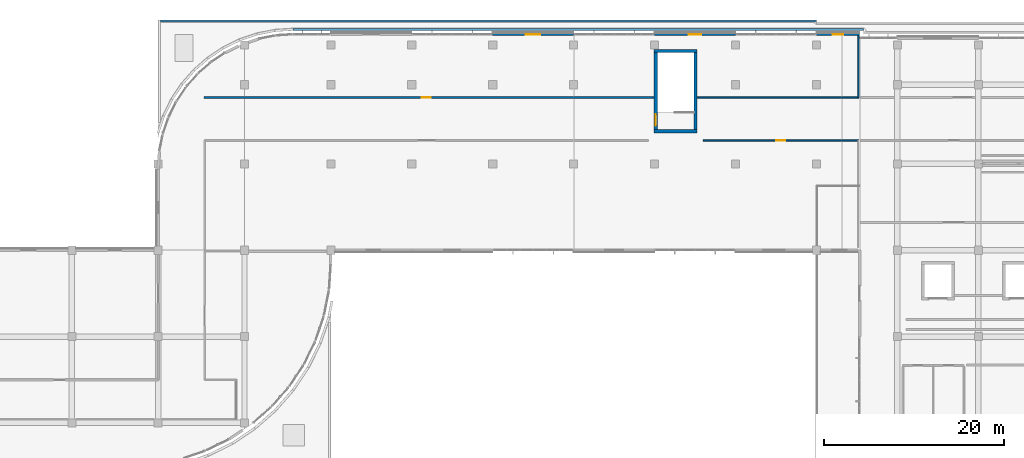
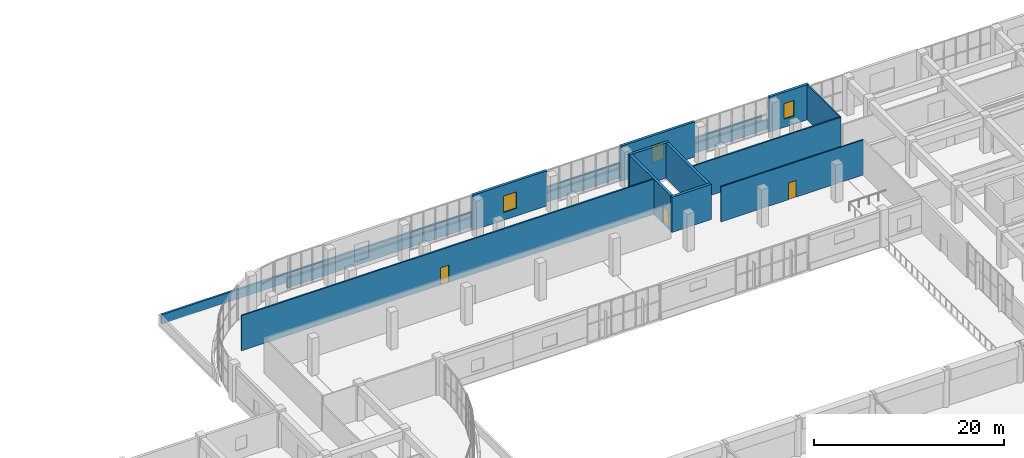
# One storey, part 70 of 96: 13 walls, 3 doors, 3 windows, 6 openings.
"""IFC4 building model written with IfcOpenShell, lengths in metres."""

from ifc_helpers import new_model, si_unit, direction, frame, frame_2d, origin, place, context, subcontext, project, spatial, rectangle, extrude, material, layer, layer_set, type_object, element, fill, save


model = new_model("IFC4")

# Units and contexts
model_context = context("Model", 3, precision=1e-05, world=origin(), true_north=direction((0.0, 1.0)))
body_context = subcontext(model_context, "Body", "Model", "MODEL_VIEW")
ifc_project = project(units=[si_unit("LENGTHUNIT", "METRE"), si_unit("AREAUNIT", "SQUARE_METRE"), si_unit("VOLUMEUNIT", "CUBIC_METRE"), si_unit("PLANEANGLEUNIT", "RADIAN"), si_unit("MASSUNIT", "GRAM", prefix="KILO")], contexts=[model_context])

# Site, building, storey
site_placement = place(None, origin())
site = spatial("IfcSite", under=ifc_project, at=site_placement, CompositionType="ELEMENT")
building_placement = place(site_placement, origin())
building = spatial("IfcBuilding", under=site, at=building_placement, Name="Cendralis Terraced Arcade", CompositionType="ELEMENT")
storey_placement = place(building_placement, frame((0.0, 0.0, 10.199951171875)))
storey = spatial("IfcBuildingStorey", under=building, at=storey_placement, Name="L02", CompositionType="ELEMENT", Elevation=10.199951171875)

# Walls
ifc_material_1 = material(Name="Concrete f'c 42 MPa", Category="concrete")
ifc_layer_1 = layer(ifc_material_1, 0.340087890625, Name="WL-CORE-340")
ifc_layer_set_1 = layer_set([ifc_layer_1], Name="Concrete f'c 42 MPa")
wall_type_1 = type_object("IfcWallType", Name="WL-CORE-340", PredefinedType="SHEAR", material=ifc_layer_set_1)
for number, where, z_axis, x_axis, name in (
    (1, (103.159912109375, 102.030029296875, 0.0), (0.0, 0.0, 1.0), (1.0, 0.0, 0.0), "Stair Core Reinforced Concrete Shear Wall SW-ST-10-L02-S"),
    (2, (103.159912109375, 110.969970703125, 0.0), (0.0, 0.0, 1.0), (1.0, 0.0, 0.0), "Stair Core Reinforced Concrete Shear Wall SW-ST-10-L02-N"),
):
    element("IfcWall", number, at=place(storey_placement, frame(where, z_axis=z_axis, x_axis=x_axis)), inside=storey, type_object=wall_type_1, Name=name, PredefinedType="SHEAR", context=body_context, shape_type="SweptSolid", body=[
        extrude(rectangle(XDim=4.780029296875, YDim=0.340087890625, at=frame_2d((2.39013671875, 0.0))), origin(), (0.0, 0.0, 1.0), 4.51513671875),
    ])
wall_1_placement = place(storey_placement, frame((107.77001953125, 102.199951171875, 0.0), z_axis=(0.0, 0.0, 1.0), x_axis=(0.0, 1.0, 0.0)))
element("IfcWall", 3, at=wall_1_placement, inside=storey, type_object=wall_type_1, Name="Stair Core Reinforced Concrete Shear Wall SW-ST-10-L02-E", PredefinedType="SHEAR", context=body_context, shape_type="SweptSolid", body=[
    extrude(rectangle(XDim=8.60009765625, YDim=0.340087890625, at=frame_2d((4.300048828125, 0.0))), origin(), (0.0, 0.0, 1.0), 4.51513671875),
])

# Wall, opening, door
wall_2_placement = place(storey_placement, frame((103.330078125, 102.199951171875, 0.0), z_axis=(0.0, 0.0, 1.0), x_axis=(0.0, 1.0, 0.0)))
wall_2 = element("IfcWall", 4, at=wall_2_placement, inside=storey, type_object=wall_type_1, Name="Stair Core Reinforced Concrete Shear Wall SW-ST-10-L02-W", PredefinedType="SHEAR", context=body_context, shape_type="SweptSolid", body=[
    extrude(rectangle(XDim=8.60009765625, YDim=0.340087890625, at=frame_2d((4.300048828125, 0.0))), origin(), (0.0, 0.0, 1.0), 4.51513671875),
])
opening_1_placement = place(wall_2_placement, frame((0.449951171875, 0.0, 0.0)))
opening_1 = element("IfcOpeningElement", 5, at=opening_1_placement, cuts=wall_2, Name="Opening D-ST-10-L02", PredefinedType="OPENING", context=body_context, shape_type="SweptSolid", body=[
    extrude(rectangle(XDim=1.25, YDim=2.199951171875, at=frame_2d((0.625, 1.10009765625))), frame((0.0, 0.18212890625, 0.0), z_axis=(0.0, -1.0, 0.0), x_axis=(1.0, 0.0, 0.0)), (0.0, 0.0, 1.0), 0.364013671875),
])
ifc_material_2 = material(Name="Galvanised fire-rated steel door assembly", Category="steel")
door_type_1 = type_object("IfcDoorType", Name="ID-ST-1250x2200", OperationType="NOTDEFINED", PredefinedType="DOOR", material=ifc_material_2)
door_1_placement = place(opening_1_placement, frame((1.25, 0.0, 0.0), z_axis=(0.0, 0.0, 1.0), x_axis=(-1.0, 0.0, 0.0)))
door_1 = element("IfcDoor", 6, at=door_1_placement, inside=storey, type_object=door_type_1, Name="Protected Stair ST-10 Fire Door (L02)", OperationType="SINGLE_SWING_LEFT", OverallHeight=2.199951171875, OverallWidth=1.25, PredefinedType="DOOR", context=body_context, shape_type="SweptSolid", body=[
    extrude(rectangle(XDim=1.25, YDim=2.199951171875, at=frame_2d((0.625, 1.10009765625))), frame((0.0, 0.02490234375, 0.0), z_axis=(0.0, -1.0, 0.0), x_axis=(1.0, 0.0, 0.0)), (0.0, 0.0, 1.0), 0.050048828125),
])
fill(opening_1, door_1)

# Wall, opening, window
ifc_material_3 = material(Name="Precast concrete f'c 40 MPa", Category="concrete")
ifc_layer_2 = layer(ifc_material_3, 0.300048828125, Name="WL-EXT-GRC-300")
ifc_layer_set_2 = layer_set([ifc_layer_2], Name="Precast concrete f'c 40 MPa")
wall_type_2 = type_object("IfcWallType", Name="WL-EXT-GRC-300", PredefinedType="SOLIDWALL", material=ifc_layer_set_2)
wall_3_placement = place(storey_placement, frame((85.199951171875, 112.800048828125, 0.0), z_axis=(0.0, 0.0, 1.0), x_axis=(1.0, 0.0, 0.0)))
wall_3 = element("IfcWall", 7, at=wall_3_placement, inside=storey, type_object=wall_type_2, Name="Exterior Architectural Wall EW-L02-0181", PredefinedType="SOLIDWALL", context=body_context, shape_type="SweptSolid", body=[
    extrude(rectangle(XDim=9.0, YDim=0.300048828125, at=frame_2d((4.5, 0.0))), origin(), (0.0, 0.0, 1.0), 4.51513671875),
])
opening_2_placement = place(wall_3_placement, frame((3.699951171875, 0.0, 1.0)))
opening_2 = element("IfcOpeningElement", 8, at=opening_2_placement, cuts=wall_3, Name="Opening W-05", PredefinedType="OPENING", context=body_context, shape_type="SweptSolid", body=[
    extrude(rectangle(XDim=1.60009765625, YDim=2.10009765625, at=frame_2d((0.800048828125, 1.050048828125))), frame((0.0, 0.162109375, 0.0), z_axis=(0.0, -1.0, 0.0), x_axis=(1.0, 0.0, 0.0)), (0.0, 0.0, 1.0), 0.323974609375),
])
ifc_material_4 = material(Name="Tempered solar control laminated glass", Category="glass")
window_type_1 = type_object("IfcWindowType", Name="WN-F1-1600x2100", PartitioningType="SINGLE_PANEL", PredefinedType="WINDOW", material=ifc_material_4)
window_1_placement = place(opening_2_placement, origin())
window_1 = element("IfcWindow", 9, at=window_1_placement, inside=storey, type_object=window_type_1, Name="Exterior Solar-Control Window WN-L02-0116", OverallHeight=2.10009765625, OverallWidth=1.60009765625, PartitioningType="SINGLE_PANEL", PredefinedType="WINDOW", context=body_context, shape_type="SweptSolid", body=[
    extrude(rectangle(XDim=1.60009765625, YDim=2.10009765625, at=frame_2d((0.800048828125, 1.050048828125))), frame((0.0, 0.030029296875, 0.0), z_axis=(0.0, -1.0, 0.0), x_axis=(1.0, 0.0, 0.0)), (0.0, 0.0, 1.0), 0.06005859375),
])
fill(opening_2, window_1)

wall_4_placement = place(storey_placement, frame((103.199951171875, 112.800048828125, 0.0), z_axis=(0.0, 0.0, 1.0), x_axis=(1.0, 0.0, 0.0)))
wall_4 = element("IfcWall", 10, at=wall_4_placement, inside=storey, type_object=wall_type_2, Name="Exterior Architectural Wall EW-L02-0182", PredefinedType="SOLIDWALL", context=body_context, shape_type="SweptSolid", body=[
    extrude(rectangle(XDim=9.0, YDim=0.300048828125, at=frame_2d((4.5, 0.0))), origin(), (0.0, 0.0, 1.0), 4.51513671875),
])
opening_3_placement = place(wall_4_placement, frame((3.800048828125, 0.0, 1.0)))
opening_3 = element("IfcOpeningElement", 11, at=opening_3_placement, cuts=wall_4, Name="Opening W-06", PredefinedType="OPENING", context=body_context, shape_type="SweptSolid", body=[
    extrude(rectangle(XDim=1.39990234375, YDim=2.10009765625, at=frame_2d((0.699951171875, 1.050048828125))), frame((0.0, 0.162109375, 0.0), z_axis=(0.0, -1.0, 0.0), x_axis=(1.0, 0.0, 0.0)), (0.0, 0.0, 1.0), 0.323974609375),
])
window_type_2 = type_object("IfcWindowType", Name="WN-F1-1400x2100", PartitioningType="SINGLE_PANEL", PredefinedType="WINDOW", material=ifc_material_4)
window_2_placement = place(opening_3_placement, origin())
window_2 = element("IfcWindow", 12, at=window_2_placement, inside=storey, type_object=window_type_2, Name="Exterior Solar-Control Window WN-L02-0117", OverallHeight=2.10009765625, OverallWidth=1.39990234375, PartitioningType="SINGLE_PANEL", PredefinedType="WINDOW", context=body_context, shape_type="SweptSolid", body=[
    extrude(rectangle(XDim=1.39990234375, YDim=2.10009765625, at=frame_2d((0.699951171875, 1.050048828125))), frame((0.0, 0.030029296875, 0.0), z_axis=(0.0, -1.0, 0.0), x_axis=(1.0, 0.0, 0.0)), (0.0, 0.0, 1.0), 0.06005859375),
])
fill(opening_3, window_2)

wall_5_placement = place(storey_placement, frame((121.199951171875, 112.800048828125, 0.0), z_axis=(0.0, 0.0, 1.0), x_axis=(1.0, 0.0, 0.0)))
wall_5 = element("IfcWall", 13, at=wall_5_placement, inside=storey, type_object=wall_type_2, Name="Exterior Architectural Wall EW-L02-0183", PredefinedType="SOLIDWALL", context=body_context, shape_type="SweptSolid", body=[
    extrude(rectangle(XDim=4.800048828125, YDim=0.300048828125, at=frame_2d((2.39990234375, 0.0))), origin(), (0.0, 0.0, 1.0), 4.51513671875),
])
opening_4_placement = place(wall_5_placement, frame((1.800048828125, 0.0, 1.050048828125)))
opening_4 = element("IfcOpeningElement", 14, at=opening_4_placement, cuts=wall_5, Name="Opening W-07", PredefinedType="OPENING", context=body_context, shape_type="SweptSolid", body=[
    extrude(rectangle(XDim=1.199951171875, YDim=2.0, at=frame_2d((0.60009765625, 1.0))), frame((0.0, 0.162109375, 0.0), z_axis=(0.0, -1.0, 0.0), x_axis=(1.0, 0.0, 0.0)), (0.0, 0.0, 1.0), 0.323974609375),
])
window_type_3 = type_object("IfcWindowType", Name="WN-F1-1200x2000", PartitioningType="SINGLE_PANEL", PredefinedType="WINDOW", material=ifc_material_4)
window_3_placement = place(opening_4_placement, origin())
window_3 = element("IfcWindow", 15, at=window_3_placement, inside=storey, type_object=window_type_3, Name="Exterior Solar-Control Window WN-L02-0118", OverallHeight=2.0, OverallWidth=1.199951171875, PartitioningType="SINGLE_PANEL", PredefinedType="WINDOW", context=body_context, shape_type="SweptSolid", body=[
    extrude(rectangle(XDim=1.199951171875, YDim=2.0, at=frame_2d((0.60009765625, 1.0))), frame((0.0, 0.030029296875, 0.0), z_axis=(0.0, -1.0, 0.0), x_axis=(1.0, 0.0, 0.0)), (0.0, 0.0, 1.0), 0.06005859375),
])
fill(opening_4, window_3)

# Walls
ifc_layer_3 = layer(ifc_material_3, 0.22998046875, Name="WL-PAR-230")
ifc_layer_set_3 = layer_set([ifc_layer_3], Name="Precast concrete f'c 40 MPa")
wall_type_3 = type_object("IfcWallType", Name="WL-PAR-230", PredefinedType="PARAPET", material=ifc_layer_set_3)
wall_6_placement = place(storey_placement, frame((126.419921875, 113.35498046875, 0.0), z_axis=(0.0, 0.0, 1.0), x_axis=(-1.0, 0.0, 0.0)))
element("IfcWall", 16, at=wall_6_placement, inside=storey, type_object=wall_type_3, Name="Precast Concrete Roof Parapet Wall PAR-L02-083", PredefinedType="PARAPET", context=body_context, shape_type="SweptSolid", body=[
    extrude(rectangle(XDim=63.43359375, YDim=0.22998046875, at=frame_2d((31.716796875, 0.0))), origin(), (0.0, 0.0, 1.0), 1.199951171875),
])
wall_7_placement = place(storey_placement, frame((48.27001953125, 114.264892578125, 0.0), z_axis=(0.0, 0.0, 1.0), x_axis=(1.0, 0.0, 0.0)))
element("IfcWall", 17, at=wall_7_placement, inside=storey, type_object=wall_type_3, Name="Precast Concrete Roof Parapet Wall PAR-L02-095", PredefinedType="PARAPET", context=body_context, shape_type="SweptSolid", body=[
    extrude(rectangle(XDim=72.929931640625, YDim=0.22998046875, at=frame_2d((36.46484375, 0.0))), origin(), (0.0, 0.0, 1.0), 1.199951171875),
])

# Wall, opening, door
ifc_material_5 = material(Name="Gypsum plasterboard acoustic partition", Category="concrete")
ifc_layer_4 = layer(ifc_material_5, 0.14990234375, Name="WL-PART-150")
ifc_layer_set_4 = layer_set([ifc_layer_4], Name="Gypsum plasterboard acoustic partition")
wall_type_4 = type_object("IfcWallType", Name="WL-PART-150", PredefinedType="PARTITIONING", material=ifc_layer_set_4)
wall_8_placement = place(storey_placement, frame((108.5888671875, 101.02001953125, 0.0), z_axis=(0.0, 0.0, 1.0), x_axis=(1.0, 0.0, 0.0)))
wall_8 = element("IfcWall", 18, at=wall_8_placement, inside=storey, type_object=wall_type_4, Name="Interior Partition Wall IW-L02-0473", PredefinedType="PARTITIONING", context=body_context, shape_type="SweptSolid", body=[
    extrude(rectangle(XDim=17.291015625, YDim=0.14990234375, at=frame_2d((8.6455078125, 0.0))), origin(), (0.0, 0.0, 1.0), 4.51513671875),
])
opening_5_placement = place(wall_8_placement, frame((8.16552734375, 0.0, 0.0)))
opening_5 = element("IfcOpeningElement", 19, at=opening_5_placement, cuts=wall_8, Name="Opening D-L02-130", PredefinedType="OPENING", context=body_context, shape_type="SweptSolid", body=[
    extrude(rectangle(XDim=0.9599609375, YDim=2.1298828125, at=frame_2d((0.47998046875, 1.06494140625))), frame((0.0, 0.0869140625, 0.0), z_axis=(0.0, -1.0, 0.0), x_axis=(1.0, 0.0, 0.0)), (0.0, 0.0, 1.0), 0.173828125),
])
ifc_material_6 = material(Name="Solid core Andean oak veneer door leaf", Category="aluminium")
door_type_2 = type_object("IfcDoorType", Name="ID-RM-0960x2130", OperationType="NOTDEFINED", PredefinedType="DOOR", material=ifc_material_6)
door_2_placement = place(opening_5_placement, origin())
door_2 = element("IfcDoor", 20, at=door_2_placement, inside=storey, type_object=door_type_2, Name="Lighting and Interior Textile Showroom Door D-L02-130", OperationType="SINGLE_SWING_LEFT", OverallHeight=2.1298828125, OverallWidth=0.9599609375, PredefinedType="DOOR", context=body_context, shape_type="SweptSolid", body=[
    extrude(rectangle(XDim=0.9599609375, YDim=2.1298828125, at=frame_2d((0.47998046875, 1.06494140625))), frame((0.0, 0.02490234375, 0.0), z_axis=(0.0, -1.0, 0.0), x_axis=(1.0, 0.0, 0.0)), (0.0, 0.0, 1.0), 0.050048828125),
])
fill(opening_5, door_2)

# Walls
ifc_layer_5 = layer(ifc_material_5, 0.1650390625, Name="WL-PART-165")
ifc_layer_set_5 = layer_set([ifc_layer_5], Name="Gypsum plasterboard acoustic partition")
wall_type_5 = type_object("IfcWallType", Name="WL-PART-165", PredefinedType="PARTITIONING", material=ifc_layer_set_5)
wall_9_placement = place(storey_placement, frame((125.8798828125, 112.64990234375, 0.0), z_axis=(0.0, 0.0, 1.0), x_axis=(0.0, -1.0, 0.0)))
element("IfcWall", 21, at=wall_9_placement, inside=storey, type_object=wall_type_5, Name="Interior Partition Wall IW-L02-0471", PredefinedType="PARTITIONING", context=body_context, shape_type="SweptSolid", body=[
    extrude(rectangle(XDim=6.869873046875, YDim=0.1650390625, at=frame_2d((3.43505859375, 0.0))), origin(), (0.0, 0.0, 1.0), 4.51513671875),
])
ifc_layer_6 = layer(ifc_material_5, 0.169921875, Name="WL-PART-170")
ifc_layer_set_6 = layer_set([ifc_layer_6], Name="Gypsum plasterboard acoustic partition")
wall_type_6 = type_object("IfcWallType", Name="WL-PART-170", PredefinedType="PARTITIONING", material=ifc_layer_set_6)
wall_10_placement = place(storey_placement, frame((125.8798828125, 105.780029296875, 0.0), z_axis=(0.0, 0.0, 1.0), x_axis=(-1.0, 0.0, 0.0)))
element("IfcWall", 22, at=wall_10_placement, inside=storey, type_object=wall_type_6, Name="Interior Partition Wall IW-L02-0470", PredefinedType="PARTITIONING", context=body_context, shape_type="SweptSolid", body=[
    extrude(rectangle(XDim=17.93994140625, YDim=0.169921875, at=frame_2d((8.969970703125, 0.0))), origin(), (0.0, 0.0, 1.0), 4.51513671875),
])

# Wall, opening, door
ifc_layer_7 = layer(ifc_material_5, 0.175048828125, Name="WL-PART-175")
ifc_layer_set_7 = layer_set([ifc_layer_7], Name="Gypsum plasterboard acoustic partition")
wall_type_7 = type_object("IfcWallType", Name="WL-PART-175", PredefinedType="PARTITIONING", material=ifc_layer_set_7)
wall_11_placement = place(storey_placement, frame((103.159912109375, 105.780029296875, 0.0), z_axis=(0.0, 0.0, 1.0), x_axis=(-1.0, 0.0, 0.0)))
wall_11 = element("IfcWall", 23, at=wall_11_placement, inside=storey, type_object=wall_type_7, Name="Interior Partition Wall IW-L02-0469", PredefinedType="PARTITIONING", context=body_context, shape_type="SweptSolid", body=[
    extrude(rectangle(XDim=50.05322265625, YDim=0.175048828125, at=frame_2d((25.026611328125, 0.0))), origin(), (0.0, 0.0, 1.0), 4.51513671875),
])
opening_6_placement = place(wall_11_placement, frame((24.876708984375, 0.0, 0.0)))
opening_6 = element("IfcOpeningElement", 24, at=opening_6_placement, cuts=wall_11, Name="Opening D-L02-128", PredefinedType="OPENING", context=body_context, shape_type="SweptSolid", body=[
    extrude(rectangle(XDim=1.0, YDim=2.199951171875, at=frame_2d((0.5, 1.10009765625))), frame((0.0, 0.099609375, 0.0), z_axis=(0.0, -1.0, 0.0), x_axis=(1.0, 0.0, 0.0)), (0.0, 0.0, 1.0), 0.198974609375),
])
door_type_3 = type_object("IfcDoorType", Name="ID-RM-1000x2200", OperationType="NOTDEFINED", PredefinedType="DOOR", material=ifc_material_6)
door_3_placement = place(opening_6_placement, origin())
door_3 = element("IfcDoor", 25, at=door_3_placement, inside=storey, type_object=door_type_3, Name="Lighting and Interior Textile Showroom Door D-L02-128", OperationType="SINGLE_SWING_RIGHT", OverallHeight=2.199951171875, OverallWidth=1.0, PredefinedType="DOOR", context=body_context, shape_type="SweptSolid", body=[
    extrude(rectangle(XDim=1.0, YDim=2.199951171875, at=frame_2d((0.5, 1.10009765625))), frame((0.0, 0.02490234375, 0.0), z_axis=(0.0, -1.0, 0.0), x_axis=(1.0, 0.0, 0.0)), (0.0, 0.0, 1.0), 0.050048828125),
])
fill(opening_6, door_3)

save(model, "model.ifc")
